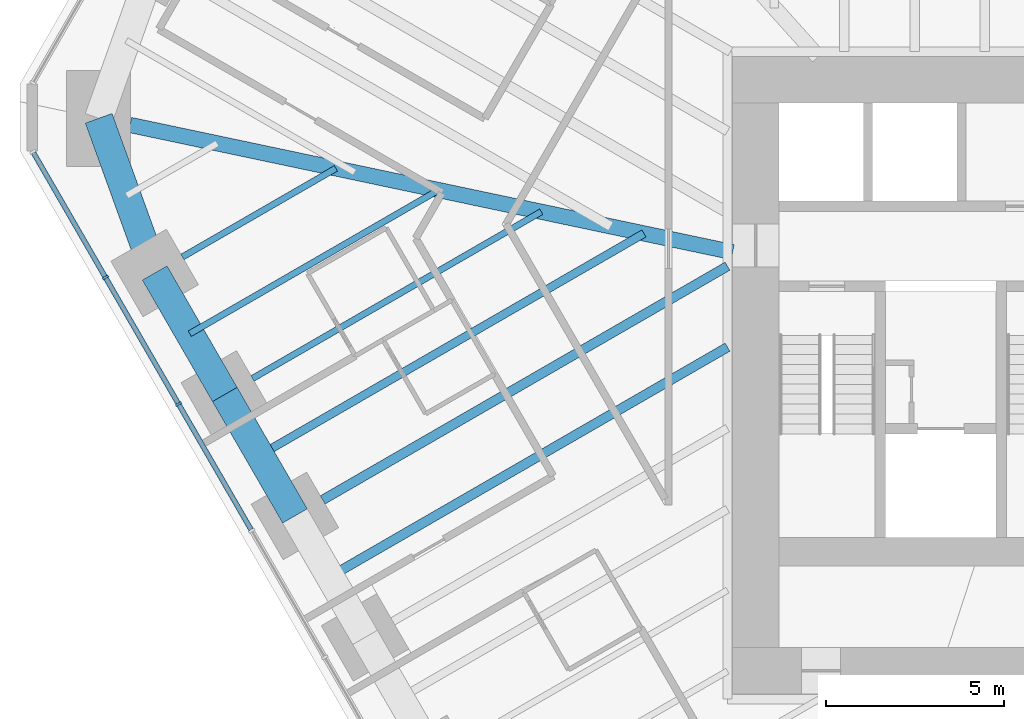
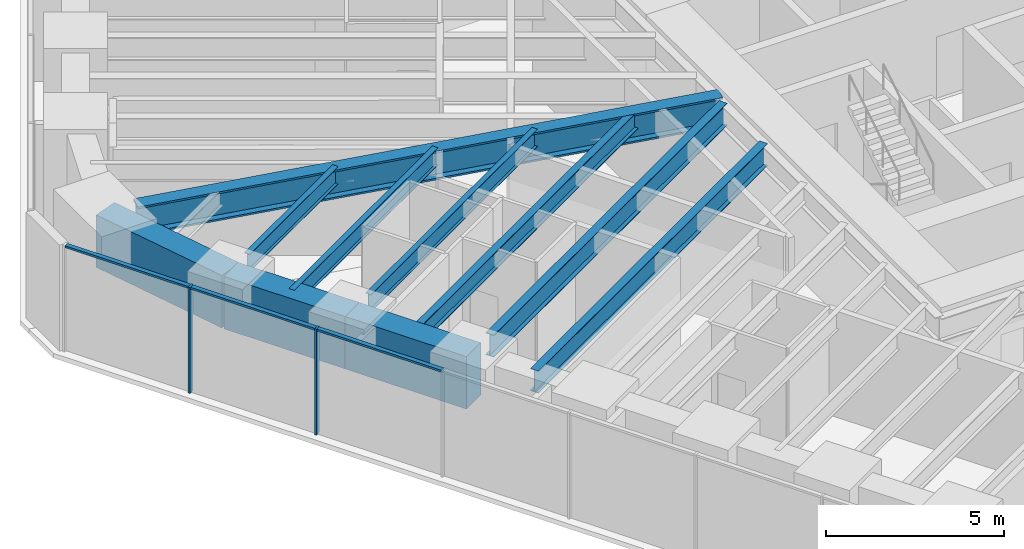
# One storey, part 3 of 16: 10 beams, 5 members, 1 element without a shape of its own.
"""IFC4 building model written with IfcOpenShell, lengths in metres."""

from ifc_helpers import new_model, si_unit, direction, frame, origin, origin_2d, place, context, subcontext, project, spatial, rectangle, i_section, extrude, material, material_profile, profile_set, type_object, element, aggregate, save


model = new_model("IFC4")

# Units and contexts
model_context = context("Model", 3, precision=1e-05, world=origin(), true_north=direction((0.0, 1.0)))
body_context = subcontext(model_context, "Body", "Model", "MODEL_VIEW")
ifc_project = project(units=[si_unit("LENGTHUNIT", "METRE"), si_unit("AREAUNIT", "SQUARE_METRE"), si_unit("VOLUMEUNIT", "CUBIC_METRE"), si_unit("PLANEANGLEUNIT", "RADIAN"), si_unit("MASSUNIT", "GRAM", prefix="KILO")], contexts=[model_context])

# Site, building, storey
site_placement = place(None, origin())
site = spatial("IfcSite", under=ifc_project, at=site_placement, CompositionType="ELEMENT")
building_placement = place(site_placement, origin())
building = spatial("IfcBuilding", under=site, at=building_placement, Name="Sandreach Pilgrim Tower", CompositionType="ELEMENT")
storey_placement = place(building_placement, frame((0.0, 0.0, 131.0)))
storey = spatial("IfcBuildingStorey", under=building, at=storey_placement, Name="L32", CompositionType="ELEMENT", Elevation=131.0)

# Curtain wall, members
ifc_material_1 = material(Name="Aluminium framed curtain wall", Category="aluminium")
curtain_wall_type = type_object("IfcCurtainWallType", Name="Hotel tower curtain wall", PredefinedType="NOTDEFINED", material=ifc_material_1)
curtain_wall_placement = place(storey_placement, origin())
curtain_wall = element("IfcCurtainWall", 1, at=curtain_wall_placement, inside=storey, type_object=curtain_wall_type, Name="CW-2 L32 SW", PredefinedType="NOTDEFINED")
ifc_material_2 = material(Name="Aluminium extrusion", Category="aluminium")
ifc_material_profile_1 = material_profile(ifc_material_2, rectangle(XDim=0.06494140625, YDim=0.179931640625, at=origin_2d()), Name="CW-2M 65X180")
ifc_profile_set_1 = profile_set([ifc_material_profile_1], Name="Aluminium extrusion")
member_type_1 = type_object("IfcMemberType", Name="CW-2 mullion", PredefinedType="MULLION", material=ifc_profile_set_1)
member_1_placement = place(storey_placement, frame((-24.614013671875, -2.35498046875, 0.0), z_axis=(0.0, 0.0, 1.0), x_axis=(-0.5, 0.866025403784, 0.0)))
member_1 = element("IfcMember", 2, at=member_1_placement, type_object=member_type_1, Name="CW-2 mullion 8", PredefinedType="MULLION", context=body_context, shape_type="SweptSolid", body=[
    extrude(rectangle(XDim=0.06494140625, YDim=0.179931640625, at=origin_2d()), origin(), (0.0, 0.0, 1.0), 3.639892578125),
])
member_2_placement = place(storey_placement, frame((-26.66748046875, 1.20166015625, 0.0), z_axis=(0.0, 0.0, 1.0), x_axis=(-0.5, 0.866025403784, 0.0)))
member_2 = element("IfcMember", 3, at=member_2_placement, type_object=member_type_1, Name="CW-2 mullion 9", PredefinedType="MULLION", context=body_context, shape_type="SweptSolid", body=[
    extrude(rectangle(XDim=0.06494140625, YDim=0.179931640625, at=origin_2d()), origin(), (0.0, 0.0, 1.0), 3.639892578125),
])
ifc_material_3 = material(Name="Aluminium extrusion", Category="aluminium")
ifc_material_profile_2 = material_profile(ifc_material_3, rectangle(XDim=0.139892578125, YDim=0.070068359375, at=origin_2d()), Name="CW-2T 140X70")
ifc_profile_set_2 = profile_set([ifc_material_profile_2], Name="Aluminium extrusion")
member_type_2 = type_object("IfcMemberType", Name="CW-2 transom", PredefinedType="USERDEFINED", material=ifc_profile_set_2)
member_3_placement = place(storey_placement, frame((-22.57666015625, -5.883544921875, 3.60498046875), z_axis=(-0.500023973715, 0.866011562111, 0.0), x_axis=(-0.866011562111, -0.500023973715, 0.0)))
member_3 = element("IfcMember", 4, at=member_3_placement, type_object=member_type_2, Name="CW-2 head transom 7", ObjectType="TRANSOM", PredefinedType="USERDEFINED", context=body_context, shape_type="SweptSolid", body=[
    extrude(rectangle(XDim=0.139892578125, YDim=0.070068359375, at=origin_2d()), origin(), (0.0, 0.0, 1.0), 4.041748046875),
])
member_4_placement = place(storey_placement, frame((-24.630126953125, -2.326904296875, 3.60498046875), z_axis=(-0.499997818338, 0.866026663364, 0.0), x_axis=(-0.866026663364, -0.499997818338, 0.0)))
member_4 = element("IfcMember", 5, at=member_4_placement, type_object=member_type_2, Name="CW-2 head transom 8", ObjectType="TRANSOM", PredefinedType="USERDEFINED", context=body_context, shape_type="SweptSolid", body=[
    extrude(rectangle(XDim=0.139892578125, YDim=0.070068359375, at=origin_2d()), origin(), (0.0, 0.0, 1.0), 4.0419921875),
])
member_5_placement = place(storey_placement, frame((-26.68359375, 1.229736328125, 3.60498046875), z_axis=(-0.500015851672, 0.866016251624, 0.0), x_axis=(-0.866016251624, -0.500015851672, 0.0)))
member_5 = element("IfcMember", 6, at=member_5_placement, type_object=member_type_2, Name="CW-2 head transom 9", ObjectType="TRANSOM", PredefinedType="USERDEFINED", context=body_context, shape_type="SweptSolid", body=[
    extrude(rectangle(XDim=0.139892578125, YDim=0.070068359375, at=origin_2d()), origin(), (0.0, 0.0, 1.0), 4.009521484375),
])
aggregate(curtain_wall, [member_1, member_2, member_3, member_4, member_5])

# Beams
ifc_material_4 = material(Name="Steel ASTM A992 Grade 50", Category="steel")
ifc_material_profile_3 = material_profile(ifc_material_4, i_section(OverallWidth=0.431884765625, OverallDepth=0.988037109375, WebThickness=0.034423828125, FlangeThickness=0.06201171875, at=origin_2d()), Name="W36X441")
ifc_profile_set_3 = profile_set([ifc_material_profile_3], Name="Steel ASTM A992 Grade 50")
beam_type_1 = type_object("IfcBeamType", Name="Corner girder W36X441", PredefinedType="BEAM", material=ifc_profile_set_3)
beam_1_placement = place(storey_placement, frame((-25.976806640625, 5.484619140625, 3.14599609375), z_axis=(0.978427882284, -0.206588671447, 0.0), x_axis=(0.206588671447, 0.978427882284, 0.0)))
element("IfcBeam", 7, at=beam_1_placement, inside=storey, type_object=beam_type_1, Name="BM L32 CG35", PredefinedType="BEAM", context=body_context, shape_type="SweptSolid", body=[
    extrude(i_section(OverallWidth=0.431884765625, OverallDepth=0.988037109375, WebThickness=0.034423828125, FlangeThickness=0.06201171875, at=origin_2d()), origin(), (0.0, 0.0, 1.0), 17.300048828125),
])
ifc_material_5 = material(Name="Steel ASTM A992 Grade 50", Category="steel")
ifc_material_profile_4 = material_profile(ifc_material_5, i_section(OverallWidth=0.1787109375, OverallDepth=0.60205078125, WebThickness=0.010986328125, FlangeThickness=0.014892578125, at=origin_2d()), Name="W24X62")
ifc_profile_set_4 = profile_set([ifc_material_profile_4], Name="Steel ASTM A992 Grade 50")
beam_type_2 = type_object("IfcBeamType", Name="Floor beam W24X62", PredefinedType="BEAM", material=ifc_profile_set_4)
beam_2_placement = place(storey_placement, frame((-22.534423828125, -1.63671875, 3.339111328125), z_axis=(0.866012351917, 0.500022605817, 0.0), x_axis=(-0.500022605817, 0.866012351917, 0.0)))
element("IfcBeam", 8, at=beam_2_placement, inside=storey, type_object=beam_type_2, Name="BM L32 F33", PredefinedType="BEAM", context=body_context, shape_type="SweptSolid", body=[
    extrude(i_section(OverallWidth=0.1787109375, OverallDepth=0.60205078125, WebThickness=0.010986328125, FlangeThickness=0.014892578125, at=origin_2d()), origin(), (0.0, 0.0, 1.0), 9.3642578125),
])
beam_3_placement = place(storey_placement, frame((-24.50439453125, 1.775390625, 3.339111328125), z_axis=(0.866024645457, 0.500001313459, 0.0), x_axis=(-0.500001313459, 0.866024645457, 0.0)))
element("IfcBeam", 9, at=beam_3_placement, inside=storey, type_object=beam_type_2, Name="BM L32 F34", PredefinedType="BEAM", context=body_context, shape_type="SweptSolid", body=[
    extrude(i_section(OverallWidth=0.1787109375, OverallDepth=0.60205078125, WebThickness=0.010986328125, FlangeThickness=0.014892578125, at=origin_2d()), origin(), (0.0, 0.0, 1.0), 4.9765625),
])
beam_4_placement = place(storey_placement, frame((-24.298828125, -0.380615234375, 3.339111328125), z_axis=(0.866022864518, 0.500004398112, 0.0), x_axis=(-0.500004398112, 0.866022864518, 0.0)))
element("IfcBeam", 10, at=beam_4_placement, inside=storey, type_object=beam_type_2, Name="BM L32 FM33", PredefinedType="BEAM", context=body_context, shape_type="SweptSolid", body=[
    extrude(i_section(OverallWidth=0.1787109375, OverallDepth=0.60205078125, WebThickness=0.010986328125, FlangeThickness=0.014892578125, at=origin_2d()), origin(), (0.0, 0.0, 1.0), 8.0703125),
])
ifc_material_6 = material(Name="Steel ASTM A992 Grade 50", Category="steel")
ifc_material_profile_5 = material_profile(ifc_material_6, i_section(OverallWidth=0.23046875, OverallDepth=0.6171875, WebThickness=0.01318359375, FlangeThickness=0.022216796875, at=origin_2d()), Name="W24X94")
ifc_profile_set_5 = profile_set([ifc_material_profile_5], Name="Steel ASTM A992 Grade 50")
beam_type_3 = type_object("IfcBeamType", Name="Floor beam W24X94", PredefinedType="BEAM", material=ifc_profile_set_5)
beam_5_placement = place(storey_placement, frame((-22.328857421875, -3.792724609375, 3.331298828125), z_axis=(0.866019150617, 0.500010830648, 0.0), x_axis=(-0.500010830648, 0.866019150617, 0.0)))
element("IfcBeam", 11, at=beam_5_placement, inside=storey, type_object=beam_type_3, Name="BM L32 FM32", PredefinedType="BEAM", context=body_context, shape_type="SweptSolid", body=[
    extrude(i_section(OverallWidth=0.23046875, OverallDepth=0.6171875, WebThickness=0.01318359375, FlangeThickness=0.022216796875, at=origin_2d()), origin(), (0.0, 0.0, 1.0), 12.458251953125),
])
ifc_material_7 = material(Name="Steel ASTM A992 Grade 50", Category="steel")
ifc_material_profile_6 = material_profile(ifc_material_7, i_section(OverallWidth=0.2666015625, OverallDepth=0.761962890625, WebThickness=0.014404296875, FlangeThickness=0.021484375, at=origin_2d()), Name="W30X116")
ifc_profile_set_6 = profile_set([ifc_material_profile_6], Name="Steel ASTM A992 Grade 50")
beam_type_4 = type_object("IfcBeamType", Name="Floor beam W30X116", PredefinedType="BEAM", material=ifc_profile_set_6)
beam_6_placement = place(storey_placement, frame((-20.564453125, -5.048828125, 3.259033203125), z_axis=(0.866022715736, 0.500004655807, 0.0), x_axis=(-0.500004655807, 0.866022715736, 0.0)))
element("IfcBeam", 12, at=beam_6_placement, inside=storey, type_object=beam_type_4, Name="BM L32 F32", PredefinedType="BEAM", context=body_context, shape_type="SweptSolid", body=[
    extrude(i_section(OverallWidth=0.2666015625, OverallDepth=0.761962890625, WebThickness=0.014404296875, FlangeThickness=0.021484375, at=origin_2d()), origin(), (0.0, 0.0, 1.0), 13.130126953125),
])
beam_7_placement = place(storey_placement, frame((-20.35888671875, -7.204833984375, 3.259033203125), z_axis=(0.866021609098, 0.500006572533, 0.0), x_axis=(-0.500006572533, 0.866021609098, 0.0)))
element("IfcBeam", 13, at=beam_7_placement, inside=storey, type_object=beam_type_4, Name="BM L32 FM31", PredefinedType="BEAM", context=body_context, shape_type="SweptSolid", body=[
    extrude(i_section(OverallWidth=0.2666015625, OverallDepth=0.761962890625, WebThickness=0.014404296875, FlangeThickness=0.021484375, at=origin_2d()), origin(), (0.0, 0.0, 1.0), 12.892822265625),
])
ifc_material_8 = material(Name="Concrete 10000 psi", Category="concrete")
ifc_material_profile_7 = material_profile(ifc_material_8, rectangle(XDim=0.800048828125, YDim=1.800048828125, at=origin_2d()), Name="RC800X1800")
ifc_profile_set_7 = profile_set([ifc_material_profile_7], Name="Concrete 10000 psi")
beam_type_5 = type_object("IfcBeamType", Name="Spandrel beam RC800X1800", PredefinedType="SPANDREL", material=ifc_profile_set_7)
for number, where, z_axis, x_axis, name in (
    (14, (-21.343994140625, -5.498779296875, 2.739990234375), (-0.49999779889, 0.866026674592, 0.0), (-0.866026674592, -0.49999779889, 0.0), "BM L32 SP32"),
    (15, (-23.31396484375, -2.086669921875, 2.739990234375), (-0.49999779889, 0.866026674592, 0.0), (-0.866026674592, -0.49999779889, 0.0), "BM L32 SP33"),
):
    element("IfcBeam", number, at=place(storey_placement, frame(where, z_axis=z_axis, x_axis=x_axis)), inside=storey, type_object=beam_type_5, Name=name, PredefinedType="SPANDREL", context=body_context, shape_type="SweptSolid", body=[
        extrude(rectangle(XDim=0.800048828125, YDim=1.800048828125, at=origin_2d()), origin(), (0.0, 0.0, 1.0), 3.93994140625),
    ])
beam_8_placement = place(storey_placement, frame((-25.283935546875, 1.325439453125, 2.739990234375), z_axis=(-0.340453163563, 0.940261476091, 0.0), x_axis=(-0.940261476091, -0.340453163563, 0.0)))
element("IfcBeam", 16, at=beam_8_placement, inside=storey, type_object=beam_type_5, Name="BM L32 SP34", PredefinedType="SPANDREL", context=body_context, shape_type="SweptSolid", body=[
    extrude(rectangle(XDim=0.800048828125, YDim=1.800048828125, at=origin_2d()), origin(), (0.0, 0.0, 1.0), 4.62109375),
])

save(model, "model.ifc")
